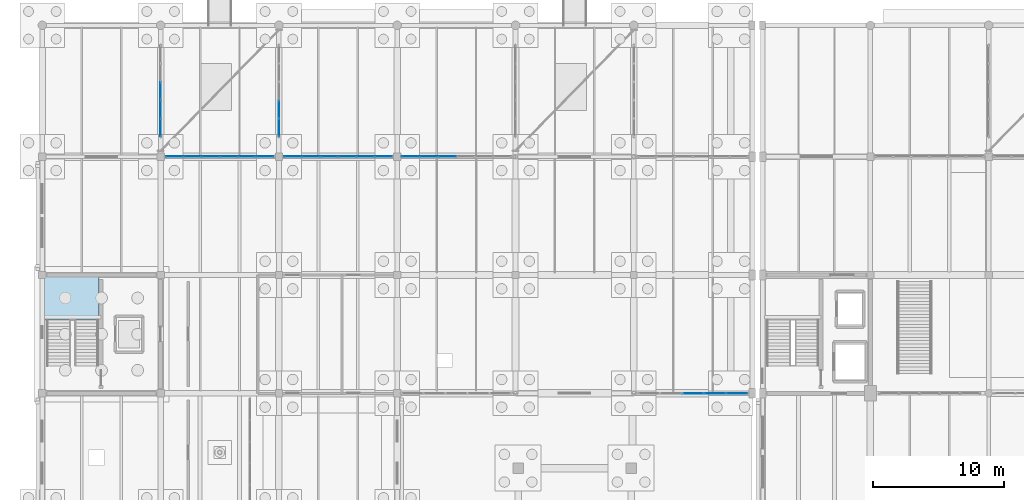
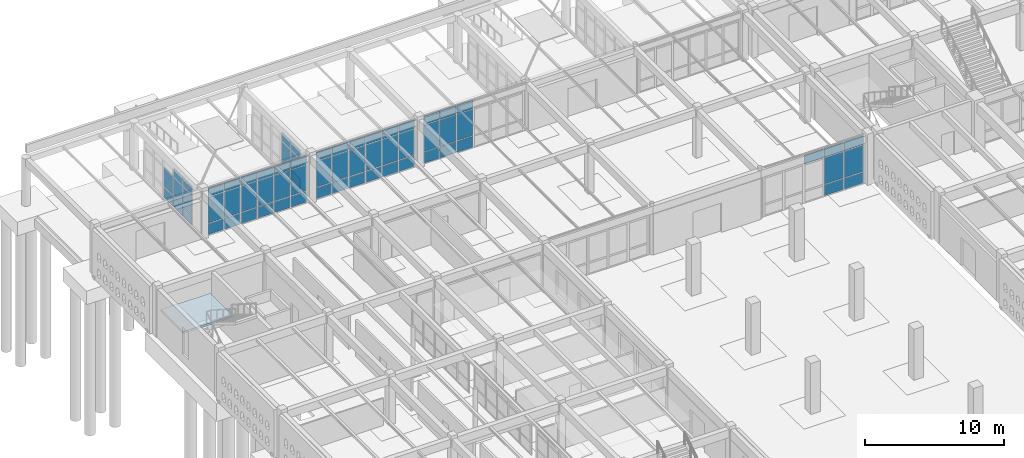
# One storey, part 145 of 186: 66 plates, 1 slab, 7 elements without a shape of their own.
"""IFC4 building model written with IfcOpenShell, lengths in metres."""

from ifc_helpers import new_model, si_unit, direction, frame, origin, origin_2d, place, context, subcontext, project, spatial, polyline, rectangle, outline, extrude, material, layer, layer_set, type_object, element, aggregate, save


model = new_model("IFC4")

# Units and contexts
model_context = context("Model", 3, precision=1e-05, world=origin(), true_north=direction((0.0, 1.0)))
body_context = subcontext(model_context, "Body", "Model", "MODEL_VIEW")
ifc_project = project(units=[si_unit("LENGTHUNIT", "METRE"), si_unit("AREAUNIT", "SQUARE_METRE"), si_unit("VOLUMEUNIT", "CUBIC_METRE"), si_unit("PLANEANGLEUNIT", "RADIAN"), si_unit("MASSUNIT", "GRAM", prefix="KILO")], contexts=[model_context])

# Site, building, storey
site_placement = place(None, origin())
site = spatial("IfcSite", under=ifc_project, at=site_placement, CompositionType="ELEMENT")
building_placement = place(site_placement, origin())
building = spatial("IfcBuilding", under=site, at=building_placement, Name="Ornek Quay Market", CompositionType="ELEMENT")
storey_placement = place(building_placement, origin())
storey = spatial("IfcBuildingStorey", under=building, at=storey_placement, Name="L00", CompositionType="ELEMENT", Elevation=0.0)

# Curtain wall, plates
ifc_material_1 = material(Name="Anodised bronze aluminium and triple low-e glass", Category="aluminium")
ifc_layer_1 = layer(ifc_material_1, 0.179931640625, Name="Anodised bronze aluminium and triple low-e glass", Category="aluminium")
ifc_layer_set_1 = layer_set([ifc_layer_1], Name="Anodised bronze aluminium and triple low-e glass")
curtain_wall_type_1 = type_object("IfcCurtainWallType", Name="CW-CONC-MOD1500", PredefinedType="USERDEFINED", material=ifc_layer_set_1)
curtain_wall_1_placement = place(storey_placement, origin())
curtain_wall_1 = element("IfcCurtainWall", 1, at=curtain_wall_1_placement, inside=storey, type_object=curtain_wall_type_1, Name="Curtain wall CW-001", ObjectType="CURTAIN WALL", PredefinedType="USERDEFINED")
ifc_material_2 = material(Name="Triple insulated low-e glass", Category="glass")
ifc_layer_2 = layer(ifc_material_2, 0.035888671875, Name="Triple insulated low-e glass", Category="glass")
ifc_layer_set_2 = layer_set([ifc_layer_2], Name="Triple insulated low-e glass")
plate_type_1 = type_object("IfcPlateType", Name="PL-CW-TRIPLE-36", PredefinedType="CURTAIN_PANEL", material=ifc_layer_set_2)
plate_1_placement = place(storey_placement, frame((10.057861328125, 110.0, 0.06494140625), z_axis=(0.0, 0.0, 1.0), x_axis=(1.0, 0.0, 0.0)))
plate_1 = element("IfcPlate", 2, at=plate_1_placement, type_object=plate_type_1, Name="CW-001 panel 1.1", PredefinedType="CURTAIN_PANEL", context=body_context, shape_type="SweptSolid", body=[
    extrude(rectangle(XDim=1.285888671875, YDim=0.035888671875, at=origin_2d()), origin(), (0.0, 0.0, 1.0), 0.952392578125),
])
plate_2_placement = place(storey_placement, frame((10.057861328125, 110.0, 1.08251953125), z_axis=(0.0, 0.0, 1.0), x_axis=(1.0, 0.0, 0.0)))
plate_2 = element("IfcPlate", 3, at=plate_2_placement, type_object=plate_type_1, Name="CW-001 panel 1.2", PredefinedType="CURTAIN_PANEL", context=body_context, shape_type="SweptSolid", body=[
    extrude(rectangle(XDim=1.285888671875, YDim=0.035888671875, at=origin_2d()), origin(), (0.0, 0.0, 1.0), 2.2548828125),
])
plate_3_placement = place(storey_placement, frame((10.057861328125, 110.0, 3.402587890625), z_axis=(0.0, 0.0, 1.0), x_axis=(1.0, 0.0, 0.0)))
plate_3 = element("IfcPlate", 4, at=plate_3_placement, type_object=plate_type_1, Name="CW-001 panel 1.3", PredefinedType="CURTAIN_PANEL", context=body_context, shape_type="SweptSolid", body=[
    extrude(rectangle(XDim=1.285888671875, YDim=0.035888671875, at=origin_2d()), origin(), (0.0, 0.0, 1.0), 0.75244140625),
])
plate_4_placement = place(storey_placement, frame((11.425048828125, 110.0, 0.06494140625), z_axis=(0.0, 0.0, 1.0), x_axis=(1.0, 0.0, 0.0)))
plate_4 = element("IfcPlate", 5, at=plate_4_placement, type_object=plate_type_1, Name="CW-001 panel 2.1", PredefinedType="CURTAIN_PANEL", context=body_context, shape_type="SweptSolid", body=[
    extrude(rectangle(XDim=1.318359375, YDim=0.035888671875, at=origin_2d()), origin(), (0.0, 0.0, 1.0), 0.952392578125),
])
plate_5_placement = place(storey_placement, frame((11.425048828125, 110.0, 1.08251953125), z_axis=(0.0, 0.0, 1.0), x_axis=(1.0, 0.0, 0.0)))
plate_5 = element("IfcPlate", 6, at=plate_5_placement, type_object=plate_type_1, Name="CW-001 panel 2.2", PredefinedType="CURTAIN_PANEL", context=body_context, shape_type="SweptSolid", body=[
    extrude(rectangle(XDim=1.318359375, YDim=0.035888671875, at=origin_2d()), origin(), (0.0, 0.0, 1.0), 2.2548828125),
])
plate_6_placement = place(storey_placement, frame((11.425048828125, 110.0, 3.402587890625), z_axis=(0.0, 0.0, 1.0), x_axis=(1.0, 0.0, 0.0)))
plate_6 = element("IfcPlate", 7, at=plate_6_placement, type_object=plate_type_1, Name="CW-001 panel 2.3", PredefinedType="CURTAIN_PANEL", context=body_context, shape_type="SweptSolid", body=[
    extrude(rectangle(XDim=1.318359375, YDim=0.035888671875, at=origin_2d()), origin(), (0.0, 0.0, 1.0), 0.75244140625),
])
plate_7_placement = place(storey_placement, frame((12.808349609375, 110.0, 0.06494140625), z_axis=(0.0, 0.0, 1.0), x_axis=(1.0, 0.0, 0.0)))
plate_7 = element("IfcPlate", 8, at=plate_7_placement, type_object=plate_type_1, Name="CW-001 panel 3.1", PredefinedType="CURTAIN_PANEL", context=body_context, shape_type="SweptSolid", body=[
    extrude(rectangle(XDim=1.318359375, YDim=0.035888671875, at=origin_2d()), origin(), (0.0, 0.0, 1.0), 0.952392578125),
])
plate_8_placement = place(storey_placement, frame((12.808349609375, 110.0, 1.08251953125), z_axis=(0.0, 0.0, 1.0), x_axis=(1.0, 0.0, 0.0)))
plate_8 = element("IfcPlate", 9, at=plate_8_placement, type_object=plate_type_1, Name="CW-001 panel 3.2", PredefinedType="CURTAIN_PANEL", context=body_context, shape_type="SweptSolid", body=[
    extrude(rectangle(XDim=1.318359375, YDim=0.035888671875, at=origin_2d()), origin(), (0.0, 0.0, 1.0), 2.2548828125),
])
plate_9_placement = place(storey_placement, frame((12.808349609375, 110.0, 3.402587890625), z_axis=(0.0, 0.0, 1.0), x_axis=(1.0, 0.0, 0.0)))
plate_9 = element("IfcPlate", 10, at=plate_9_placement, type_object=plate_type_1, Name="CW-001 panel 3.3", PredefinedType="CURTAIN_PANEL", context=body_context, shape_type="SweptSolid", body=[
    extrude(rectangle(XDim=1.318359375, YDim=0.035888671875, at=origin_2d()), origin(), (0.0, 0.0, 1.0), 0.75244140625),
])
plate_10_placement = place(storey_placement, frame((14.191650390625, 110.0, 0.06494140625), z_axis=(0.0, 0.0, 1.0), x_axis=(1.0, 0.0, 0.0)))
plate_10 = element("IfcPlate", 11, at=plate_10_placement, type_object=plate_type_1, Name="CW-001 panel 4.1", PredefinedType="CURTAIN_PANEL", context=body_context, shape_type="SweptSolid", body=[
    extrude(rectangle(XDim=1.318359375, YDim=0.035888671875, at=origin_2d()), origin(), (0.0, 0.0, 1.0), 0.952392578125),
])
plate_11_placement = place(storey_placement, frame((14.191650390625, 110.0, 1.08251953125), z_axis=(0.0, 0.0, 1.0), x_axis=(1.0, 0.0, 0.0)))
plate_11 = element("IfcPlate", 12, at=plate_11_placement, type_object=plate_type_1, Name="CW-001 panel 4.2", PredefinedType="CURTAIN_PANEL", context=body_context, shape_type="SweptSolid", body=[
    extrude(rectangle(XDim=1.318359375, YDim=0.035888671875, at=origin_2d()), origin(), (0.0, 0.0, 1.0), 2.2548828125),
])
plate_12_placement = place(storey_placement, frame((14.191650390625, 110.0, 3.402587890625), z_axis=(0.0, 0.0, 1.0), x_axis=(1.0, 0.0, 0.0)))
plate_12 = element("IfcPlate", 13, at=plate_12_placement, type_object=plate_type_1, Name="CW-001 panel 4.3", PredefinedType="CURTAIN_PANEL", context=body_context, shape_type="SweptSolid", body=[
    extrude(rectangle(XDim=1.318359375, YDim=0.035888671875, at=origin_2d()), origin(), (0.0, 0.0, 1.0), 0.75244140625),
])
plate_13_placement = place(storey_placement, frame((15.574951171875, 110.0, 0.06494140625), z_axis=(0.0, 0.0, 1.0), x_axis=(1.0, 0.0, 0.0)))
plate_13 = element("IfcPlate", 14, at=plate_13_placement, type_object=plate_type_1, Name="CW-001 panel 5.1", PredefinedType="CURTAIN_PANEL", context=body_context, shape_type="SweptSolid", body=[
    extrude(rectangle(XDim=1.318359375, YDim=0.035888671875, at=origin_2d()), origin(), (0.0, 0.0, 1.0), 0.952392578125),
])
plate_14_placement = place(storey_placement, frame((15.574951171875, 110.0, 1.08251953125), z_axis=(0.0, 0.0, 1.0), x_axis=(1.0, 0.0, 0.0)))
plate_14 = element("IfcPlate", 15, at=plate_14_placement, type_object=plate_type_1, Name="CW-001 panel 5.2", PredefinedType="CURTAIN_PANEL", context=body_context, shape_type="SweptSolid", body=[
    extrude(rectangle(XDim=1.318359375, YDim=0.035888671875, at=origin_2d()), origin(), (0.0, 0.0, 1.0), 2.2548828125),
])
plate_15_placement = place(storey_placement, frame((15.574951171875, 110.0, 3.402587890625), z_axis=(0.0, 0.0, 1.0), x_axis=(1.0, 0.0, 0.0)))
plate_15 = element("IfcPlate", 16, at=plate_15_placement, type_object=plate_type_1, Name="CW-001 panel 5.3", PredefinedType="CURTAIN_PANEL", context=body_context, shape_type="SweptSolid", body=[
    extrude(rectangle(XDim=1.318359375, YDim=0.035888671875, at=origin_2d()), origin(), (0.0, 0.0, 1.0), 0.75244140625),
])
plate_16_placement = place(storey_placement, frame((16.942138671875, 110.0, 0.06494140625), z_axis=(0.0, 0.0, 1.0), x_axis=(1.0, 0.0, 0.0)))
plate_16 = element("IfcPlate", 17, at=plate_16_placement, type_object=plate_type_1, Name="CW-001 panel 6.1", PredefinedType="CURTAIN_PANEL", context=body_context, shape_type="SweptSolid", body=[
    extrude(rectangle(XDim=1.285888671875, YDim=0.035888671875, at=origin_2d()), origin(), (0.0, 0.0, 1.0), 0.952392578125),
])
plate_17_placement = place(storey_placement, frame((16.942138671875, 110.0, 1.08251953125), z_axis=(0.0, 0.0, 1.0), x_axis=(1.0, 0.0, 0.0)))
plate_17 = element("IfcPlate", 18, at=plate_17_placement, type_object=plate_type_1, Name="CW-001 panel 6.2", PredefinedType="CURTAIN_PANEL", context=body_context, shape_type="SweptSolid", body=[
    extrude(rectangle(XDim=1.285888671875, YDim=0.035888671875, at=origin_2d()), origin(), (0.0, 0.0, 1.0), 2.2548828125),
])
plate_18_placement = place(storey_placement, frame((16.942138671875, 110.0, 3.402587890625), z_axis=(0.0, 0.0, 1.0), x_axis=(1.0, 0.0, 0.0)))
plate_18 = element("IfcPlate", 19, at=plate_18_placement, type_object=plate_type_1, Name="CW-001 panel 6.3", PredefinedType="CURTAIN_PANEL", context=body_context, shape_type="SweptSolid", body=[
    extrude(rectangle(XDim=1.285888671875, YDim=0.035888671875, at=origin_2d()), origin(), (0.0, 0.0, 1.0), 0.75244140625),
])
aggregate(curtain_wall_1, [plate_1, plate_2, plate_3, plate_4, plate_5, plate_6, plate_7, plate_8, plate_9, plate_10, plate_11, plate_12, plate_13, plate_14, plate_15, plate_16, plate_17, plate_18])

curtain_wall_2_placement = place(storey_placement, origin())
curtain_wall_2 = element("IfcCurtainWall", 20, at=curtain_wall_2_placement, inside=storey, type_object=curtain_wall_type_1, Name="Curtain wall CW-002", ObjectType="CURTAIN WALL", PredefinedType="USERDEFINED")
plate_19_placement = place(storey_placement, frame((19.057861328125, 110.0, 0.06494140625), z_axis=(0.0, 0.0, 1.0), x_axis=(1.0, 0.0, 0.0)))
plate_19 = element("IfcPlate", 21, at=plate_19_placement, type_object=plate_type_1, Name="CW-002 panel 1.1", PredefinedType="CURTAIN_PANEL", context=body_context, shape_type="SweptSolid", body=[
    extrude(rectangle(XDim=1.285888671875, YDim=0.035888671875, at=origin_2d()), origin(), (0.0, 0.0, 1.0), 0.952392578125),
])
plate_20_placement = place(storey_placement, frame((19.057861328125, 110.0, 1.08251953125), z_axis=(0.0, 0.0, 1.0), x_axis=(1.0, 0.0, 0.0)))
plate_20 = element("IfcPlate", 22, at=plate_20_placement, type_object=plate_type_1, Name="CW-002 panel 1.2", PredefinedType="CURTAIN_PANEL", context=body_context, shape_type="SweptSolid", body=[
    extrude(rectangle(XDim=1.285888671875, YDim=0.035888671875, at=origin_2d()), origin(), (0.0, 0.0, 1.0), 2.2548828125),
])
plate_21_placement = place(storey_placement, frame((19.057861328125, 110.0, 3.402587890625), z_axis=(0.0, 0.0, 1.0), x_axis=(1.0, 0.0, 0.0)))
plate_21 = element("IfcPlate", 23, at=plate_21_placement, type_object=plate_type_1, Name="CW-002 panel 1.3", PredefinedType="CURTAIN_PANEL", context=body_context, shape_type="SweptSolid", body=[
    extrude(rectangle(XDim=1.285888671875, YDim=0.035888671875, at=origin_2d()), origin(), (0.0, 0.0, 1.0), 0.75244140625),
])
plate_22_placement = place(storey_placement, frame((20.425048828125, 110.0, 0.06494140625), z_axis=(0.0, 0.0, 1.0), x_axis=(1.0, 0.0, 0.0)))
plate_22 = element("IfcPlate", 24, at=plate_22_placement, type_object=plate_type_1, Name="CW-002 panel 2.1", PredefinedType="CURTAIN_PANEL", context=body_context, shape_type="SweptSolid", body=[
    extrude(rectangle(XDim=1.318359375, YDim=0.035888671875, at=origin_2d()), origin(), (0.0, 0.0, 1.0), 0.952392578125),
])
plate_23_placement = place(storey_placement, frame((20.425048828125, 110.0, 1.08251953125), z_axis=(0.0, 0.0, 1.0), x_axis=(1.0, 0.0, 0.0)))
plate_23 = element("IfcPlate", 25, at=plate_23_placement, type_object=plate_type_1, Name="CW-002 panel 2.2", PredefinedType="CURTAIN_PANEL", context=body_context, shape_type="SweptSolid", body=[
    extrude(rectangle(XDim=1.318359375, YDim=0.035888671875, at=origin_2d()), origin(), (0.0, 0.0, 1.0), 2.2548828125),
])
plate_24_placement = place(storey_placement, frame((20.425048828125, 110.0, 3.402587890625), z_axis=(0.0, 0.0, 1.0), x_axis=(1.0, 0.0, 0.0)))
plate_24 = element("IfcPlate", 26, at=plate_24_placement, type_object=plate_type_1, Name="CW-002 panel 2.3", PredefinedType="CURTAIN_PANEL", context=body_context, shape_type="SweptSolid", body=[
    extrude(rectangle(XDim=1.318359375, YDim=0.035888671875, at=origin_2d()), origin(), (0.0, 0.0, 1.0), 0.75244140625),
])
plate_25_placement = place(storey_placement, frame((21.808349609375, 110.0, 0.06494140625), z_axis=(0.0, 0.0, 1.0), x_axis=(1.0, 0.0, 0.0)))
plate_25 = element("IfcPlate", 27, at=plate_25_placement, type_object=plate_type_1, Name="CW-002 panel 3.1", PredefinedType="CURTAIN_PANEL", context=body_context, shape_type="SweptSolid", body=[
    extrude(rectangle(XDim=1.318359375, YDim=0.035888671875, at=origin_2d()), origin(), (0.0, 0.0, 1.0), 0.952392578125),
])
plate_26_placement = place(storey_placement, frame((21.808349609375, 110.0, 1.08251953125), z_axis=(0.0, 0.0, 1.0), x_axis=(1.0, 0.0, 0.0)))
plate_26 = element("IfcPlate", 28, at=plate_26_placement, type_object=plate_type_1, Name="CW-002 panel 3.2", PredefinedType="CURTAIN_PANEL", context=body_context, shape_type="SweptSolid", body=[
    extrude(rectangle(XDim=1.318359375, YDim=0.035888671875, at=origin_2d()), origin(), (0.0, 0.0, 1.0), 2.2548828125),
])
plate_27_placement = place(storey_placement, frame((21.808349609375, 110.0, 3.402587890625), z_axis=(0.0, 0.0, 1.0), x_axis=(1.0, 0.0, 0.0)))
plate_27 = element("IfcPlate", 29, at=plate_27_placement, type_object=plate_type_1, Name="CW-002 panel 3.3", PredefinedType="CURTAIN_PANEL", context=body_context, shape_type="SweptSolid", body=[
    extrude(rectangle(XDim=1.318359375, YDim=0.035888671875, at=origin_2d()), origin(), (0.0, 0.0, 1.0), 0.75244140625),
])
plate_28_placement = place(storey_placement, frame((23.191650390625, 110.0, 0.06494140625), z_axis=(0.0, 0.0, 1.0), x_axis=(1.0, 0.0, 0.0)))
plate_28 = element("IfcPlate", 30, at=plate_28_placement, type_object=plate_type_1, Name="CW-002 panel 4.1", PredefinedType="CURTAIN_PANEL", context=body_context, shape_type="SweptSolid", body=[
    extrude(rectangle(XDim=1.318359375, YDim=0.035888671875, at=origin_2d()), origin(), (0.0, 0.0, 1.0), 0.952392578125),
])
plate_29_placement = place(storey_placement, frame((23.191650390625, 110.0, 1.08251953125), z_axis=(0.0, 0.0, 1.0), x_axis=(1.0, 0.0, 0.0)))
plate_29 = element("IfcPlate", 31, at=plate_29_placement, type_object=plate_type_1, Name="CW-002 panel 4.2", PredefinedType="CURTAIN_PANEL", context=body_context, shape_type="SweptSolid", body=[
    extrude(rectangle(XDim=1.318359375, YDim=0.035888671875, at=origin_2d()), origin(), (0.0, 0.0, 1.0), 2.2548828125),
])
plate_30_placement = place(storey_placement, frame((23.191650390625, 110.0, 3.402587890625), z_axis=(0.0, 0.0, 1.0), x_axis=(1.0, 0.0, 0.0)))
plate_30 = element("IfcPlate", 32, at=plate_30_placement, type_object=plate_type_1, Name="CW-002 panel 4.3", PredefinedType="CURTAIN_PANEL", context=body_context, shape_type="SweptSolid", body=[
    extrude(rectangle(XDim=1.318359375, YDim=0.035888671875, at=origin_2d()), origin(), (0.0, 0.0, 1.0), 0.75244140625),
])
plate_31_placement = place(storey_placement, frame((24.574951171875, 110.0, 0.06494140625), z_axis=(0.0, 0.0, 1.0), x_axis=(1.0, 0.0, 0.0)))
plate_31 = element("IfcPlate", 33, at=plate_31_placement, type_object=plate_type_1, Name="CW-002 panel 5.1", PredefinedType="CURTAIN_PANEL", context=body_context, shape_type="SweptSolid", body=[
    extrude(rectangle(XDim=1.318359375, YDim=0.035888671875, at=origin_2d()), origin(), (0.0, 0.0, 1.0), 0.952392578125),
])
plate_32_placement = place(storey_placement, frame((24.574951171875, 110.0, 1.08251953125), z_axis=(0.0, 0.0, 1.0), x_axis=(1.0, 0.0, 0.0)))
plate_32 = element("IfcPlate", 34, at=plate_32_placement, type_object=plate_type_1, Name="CW-002 panel 5.2", PredefinedType="CURTAIN_PANEL", context=body_context, shape_type="SweptSolid", body=[
    extrude(rectangle(XDim=1.318359375, YDim=0.035888671875, at=origin_2d()), origin(), (0.0, 0.0, 1.0), 2.2548828125),
])
plate_33_placement = place(storey_placement, frame((24.574951171875, 110.0, 3.402587890625), z_axis=(0.0, 0.0, 1.0), x_axis=(1.0, 0.0, 0.0)))
plate_33 = element("IfcPlate", 35, at=plate_33_placement, type_object=plate_type_1, Name="CW-002 panel 5.3", PredefinedType="CURTAIN_PANEL", context=body_context, shape_type="SweptSolid", body=[
    extrude(rectangle(XDim=1.318359375, YDim=0.035888671875, at=origin_2d()), origin(), (0.0, 0.0, 1.0), 0.75244140625),
])
plate_34_placement = place(storey_placement, frame((25.942138671875, 110.0, 0.06494140625), z_axis=(0.0, 0.0, 1.0), x_axis=(1.0, 0.0, 0.0)))
plate_34 = element("IfcPlate", 36, at=plate_34_placement, type_object=plate_type_1, Name="CW-002 panel 6.1", PredefinedType="CURTAIN_PANEL", context=body_context, shape_type="SweptSolid", body=[
    extrude(rectangle(XDim=1.285888671875, YDim=0.035888671875, at=origin_2d()), origin(), (0.0, 0.0, 1.0), 0.952392578125),
])
plate_35_placement = place(storey_placement, frame((25.942138671875, 110.0, 1.08251953125), z_axis=(0.0, 0.0, 1.0), x_axis=(1.0, 0.0, 0.0)))
plate_35 = element("IfcPlate", 37, at=plate_35_placement, type_object=plate_type_1, Name="CW-002 panel 6.2", PredefinedType="CURTAIN_PANEL", context=body_context, shape_type="SweptSolid", body=[
    extrude(rectangle(XDim=1.285888671875, YDim=0.035888671875, at=origin_2d()), origin(), (0.0, 0.0, 1.0), 2.2548828125),
])
plate_36_placement = place(storey_placement, frame((25.942138671875, 110.0, 3.402587890625), z_axis=(0.0, 0.0, 1.0), x_axis=(1.0, 0.0, 0.0)))
plate_36 = element("IfcPlate", 38, at=plate_36_placement, type_object=plate_type_1, Name="CW-002 panel 6.3", PredefinedType="CURTAIN_PANEL", context=body_context, shape_type="SweptSolid", body=[
    extrude(rectangle(XDim=1.285888671875, YDim=0.035888671875, at=origin_2d()), origin(), (0.0, 0.0, 1.0), 0.75244140625),
])
aggregate(curtain_wall_2, [plate_19, plate_20, plate_21, plate_22, plate_23, plate_24, plate_25, plate_26, plate_27, plate_28, plate_29, plate_30, plate_31, plate_32, plate_33, plate_34, plate_35, plate_36])

curtain_wall_3_placement = place(storey_placement, origin())
curtain_wall_3 = element("IfcCurtainWall", 39, at=curtain_wall_3_placement, inside=storey, type_object=curtain_wall_type_1, Name="Curtain wall CW-005", ObjectType="CURTAIN WALL", PredefinedType="USERDEFINED")
plate_37_placement = place(storey_placement, frame((28.014892578125, 110.0, 0.06005859375), z_axis=(0.0, 0.0, 1.0), x_axis=(1.0, 0.0, 0.0)))
plate_37 = element("IfcPlate", 40, at=plate_37_placement, type_object=plate_type_1, Name="CW-005 panel 1.1", PredefinedType="CURTAIN_PANEL", context=body_context, shape_type="SweptSolid", body=[
    extrude(rectangle(XDim=1.31005859375, YDim=0.035888671875, at=origin_2d()), origin(), (0.0, 0.0, 1.0), 0.9599609375),
])
plate_38_placement = place(storey_placement, frame((28.014892578125, 110.0, 1.080078125), z_axis=(0.0, 0.0, 1.0), x_axis=(1.0, 0.0, 0.0)))
plate_38 = element("IfcPlate", 41, at=plate_38_placement, type_object=plate_type_1, Name="CW-005 panel 1.2", PredefinedType="CURTAIN_PANEL", context=body_context, shape_type="SweptSolid", body=[
    extrude(rectangle(XDim=1.31005859375, YDim=0.035888671875, at=origin_2d()), origin(), (0.0, 0.0, 1.0), 2.31005859375),
])
plate_39_placement = place(storey_placement, frame((28.014892578125, 110.0, 3.4501953125), z_axis=(0.0, 0.0, 1.0), x_axis=(1.0, 0.0, 0.0)))
plate_39 = element("IfcPlate", 42, at=plate_39_placement, type_object=plate_type_1, Name="CW-005 panel 1.3", PredefinedType="CURTAIN_PANEL", context=body_context, shape_type="SweptSolid", body=[
    extrude(rectangle(XDim=1.31005859375, YDim=0.035888671875, at=origin_2d()), origin(), (0.0, 0.0, 1.0), 0.760009765625),
])
plate_40_placement = place(storey_placement, frame((29.39990234375, 110.0, 0.06005859375), z_axis=(0.0, 0.0, 1.0), x_axis=(1.0, 0.0, 0.0)))
plate_40 = element("IfcPlate", 43, at=plate_40_placement, type_object=plate_type_1, Name="CW-005 panel 2.1", PredefinedType="CURTAIN_PANEL", context=body_context, shape_type="SweptSolid", body=[
    extrude(rectangle(XDim=1.340087890625, YDim=0.035888671875, at=origin_2d()), origin(), (0.0, 0.0, 1.0), 0.9599609375),
])
plate_41_placement = place(storey_placement, frame((29.39990234375, 110.0, 1.080078125), z_axis=(0.0, 0.0, 1.0), x_axis=(1.0, 0.0, 0.0)))
plate_41 = element("IfcPlate", 44, at=plate_41_placement, type_object=plate_type_1, Name="CW-005 panel 2.2", PredefinedType="CURTAIN_PANEL", context=body_context, shape_type="SweptSolid", body=[
    extrude(rectangle(XDim=1.340087890625, YDim=0.035888671875, at=origin_2d()), origin(), (0.0, 0.0, 1.0), 2.31005859375),
])
plate_42_placement = place(storey_placement, frame((29.39990234375, 110.0, 3.4501953125), z_axis=(0.0, 0.0, 1.0), x_axis=(1.0, 0.0, 0.0)))
plate_42 = element("IfcPlate", 45, at=plate_42_placement, type_object=plate_type_1, Name="CW-005 panel 2.3", PredefinedType="CURTAIN_PANEL", context=body_context, shape_type="SweptSolid", body=[
    extrude(rectangle(XDim=1.340087890625, YDim=0.035888671875, at=origin_2d()), origin(), (0.0, 0.0, 1.0), 0.760009765625),
])
plate_43_placement = place(storey_placement, frame((30.800048828125, 110.0, 0.06005859375), z_axis=(0.0, 0.0, 1.0), x_axis=(1.0, 0.0, 0.0)))
plate_43 = element("IfcPlate", 46, at=plate_43_placement, type_object=plate_type_1, Name="CW-005 panel 3.1", PredefinedType="CURTAIN_PANEL", context=body_context, shape_type="SweptSolid", body=[
    extrude(rectangle(XDim=1.340087890625, YDim=0.035888671875, at=origin_2d()), origin(), (0.0, 0.0, 1.0), 0.9599609375),
])
plate_44_placement = place(storey_placement, frame((30.800048828125, 110.0, 1.080078125), z_axis=(0.0, 0.0, 1.0), x_axis=(1.0, 0.0, 0.0)))
plate_44 = element("IfcPlate", 47, at=plate_44_placement, type_object=plate_type_1, Name="CW-005 panel 3.2", PredefinedType="CURTAIN_PANEL", context=body_context, shape_type="SweptSolid", body=[
    extrude(rectangle(XDim=1.340087890625, YDim=0.035888671875, at=origin_2d()), origin(), (0.0, 0.0, 1.0), 2.31005859375),
])
plate_45_placement = place(storey_placement, frame((30.800048828125, 110.0, 3.4501953125), z_axis=(0.0, 0.0, 1.0), x_axis=(1.0, 0.0, 0.0)))
plate_45 = element("IfcPlate", 48, at=plate_45_placement, type_object=plate_type_1, Name="CW-005 panel 3.3", PredefinedType="CURTAIN_PANEL", context=body_context, shape_type="SweptSolid", body=[
    extrude(rectangle(XDim=1.340087890625, YDim=0.035888671875, at=origin_2d()), origin(), (0.0, 0.0, 1.0), 0.760009765625),
])
aggregate(curtain_wall_3, [plate_37, plate_38, plate_39, plate_40, plate_41, plate_42, plate_43, plate_44, plate_45])

ifc_layer_3 = layer(ifc_material_1, 0.219970703125, Name="Anodised bronze aluminium and triple low-e glass", Category="aluminium")
ifc_layer_set_3 = layer_set([ifc_layer_3], Name="Anodised bronze aluminium and triple low-e glass")
curtain_wall_type_2 = type_object("IfcCurtainWallType", Name="CW-PORCH-MOD1500", PredefinedType="USERDEFINED", material=ifc_layer_set_3)
curtain_wall_4_placement = place(storey_placement, origin())
curtain_wall_4 = element("IfcCurtainWall", 49, at=curtain_wall_4_placement, inside=storey, type_object=curtain_wall_type_2, Name="Curtain wall CW-147", ObjectType="CURTAIN WALL", PredefinedType="USERDEFINED")
plate_46_placement = place(storey_placement, frame((9.0, 112.217529296875, 0.06982421875), z_axis=(0.0, 0.0, 1.0), x_axis=(0.0, 1.0, 0.0)))
plate_46 = element("IfcPlate", 50, at=plate_46_placement, type_object=plate_type_1, Name="CW-147 panel 1.1", PredefinedType="CURTAIN_PANEL", context=body_context, shape_type="SweptSolid", body=[
    extrude(rectangle(XDim=1.294921875, YDim=0.035888671875, at=origin_2d()), origin(), (0.0, 0.0, 1.0), 0.945068359375),
])
plate_47_placement = place(storey_placement, frame((9.0, 112.217529296875, 1.0849609375), z_axis=(0.0, 0.0, 1.0), x_axis=(0.0, 1.0, 0.0)))
plate_47 = element("IfcPlate", 51, at=plate_47_placement, type_object=plate_type_1, Name="CW-147 panel 1.2", PredefinedType="CURTAIN_PANEL", context=body_context, shape_type="SweptSolid", body=[
    extrude(rectangle(XDim=1.294921875, YDim=0.035888671875, at=origin_2d()), origin(), (0.0, 0.0, 1.0), 1.6298828125),
])
plate_48_placement = place(storey_placement, frame((9.0, 112.217529296875, 2.784912109375), z_axis=(0.0, 0.0, 1.0), x_axis=(0.0, 1.0, 0.0)))
plate_48 = element("IfcPlate", 52, at=plate_48_placement, type_object=plate_type_1, Name="CW-147 panel 1.3", PredefinedType="CURTAIN_PANEL", context=body_context, shape_type="SweptSolid", body=[
    extrude(rectangle(XDim=1.294921875, YDim=0.035888671875, at=origin_2d()), origin(), (0.0, 0.0, 1.0), 0.7451171875),
])
plate_49_placement = place(storey_placement, frame((9.0, 113.60009765625, 0.06982421875), z_axis=(0.0, 0.0, 1.0), x_axis=(0.0, 1.0, 0.0)))
plate_49 = element("IfcPlate", 53, at=plate_49_placement, type_object=plate_type_1, Name="CW-147 panel 2.1", PredefinedType="CURTAIN_PANEL", context=body_context, shape_type="SweptSolid", body=[
    extrude(rectangle(XDim=1.330078125, YDim=0.035888671875, at=origin_2d()), origin(), (0.0, 0.0, 1.0), 0.945068359375),
])
plate_50_placement = place(storey_placement, frame((9.0, 113.60009765625, 1.0849609375), z_axis=(0.0, 0.0, 1.0), x_axis=(0.0, 1.0, 0.0)))
plate_50 = element("IfcPlate", 54, at=plate_50_placement, type_object=plate_type_1, Name="CW-147 panel 2.2", PredefinedType="CURTAIN_PANEL", context=body_context, shape_type="SweptSolid", body=[
    extrude(rectangle(XDim=1.330078125, YDim=0.035888671875, at=origin_2d()), origin(), (0.0, 0.0, 1.0), 1.6298828125),
])
plate_51_placement = place(storey_placement, frame((9.0, 113.60009765625, 2.784912109375), z_axis=(0.0, 0.0, 1.0), x_axis=(0.0, 1.0, 0.0)))
plate_51 = element("IfcPlate", 55, at=plate_51_placement, type_object=plate_type_1, Name="CW-147 panel 2.3", PredefinedType="CURTAIN_PANEL", context=body_context, shape_type="SweptSolid", body=[
    extrude(rectangle(XDim=1.330078125, YDim=0.035888671875, at=origin_2d()), origin(), (0.0, 0.0, 1.0), 0.7451171875),
])
plate_52_placement = place(storey_placement, frame((9.0, 115.0, 0.06982421875), z_axis=(0.0, 0.0, 1.0), x_axis=(0.0, 1.0, 0.0)))
plate_52 = element("IfcPlate", 56, at=plate_52_placement, type_object=plate_type_1, Name="CW-147 panel 3.1", PredefinedType="CURTAIN_PANEL", context=body_context, shape_type="SweptSolid", body=[
    extrude(rectangle(XDim=1.330078125, YDim=0.035888671875, at=origin_2d()), origin(), (0.0, 0.0, 1.0), 0.945068359375),
])
plate_53_placement = place(storey_placement, frame((9.0, 115.0, 1.0849609375), z_axis=(0.0, 0.0, 1.0), x_axis=(0.0, 1.0, 0.0)))
plate_53 = element("IfcPlate", 57, at=plate_53_placement, type_object=plate_type_1, Name="CW-147 panel 3.2", PredefinedType="CURTAIN_PANEL", context=body_context, shape_type="SweptSolid", body=[
    extrude(rectangle(XDim=1.330078125, YDim=0.035888671875, at=origin_2d()), origin(), (0.0, 0.0, 1.0), 1.6298828125),
])
aggregate(curtain_wall_4, [plate_46, plate_47, plate_48, plate_49, plate_50, plate_51, plate_52, plate_53])

curtain_wall_5_placement = place(storey_placement, origin())
curtain_wall_5 = element("IfcCurtainWall", 58, at=curtain_wall_5_placement, inside=storey, type_object=curtain_wall_type_2, Name="Curtain wall CW-148", ObjectType="CURTAIN WALL", PredefinedType="USERDEFINED")
plate_54_placement = place(storey_placement, frame((18.0, 112.217529296875, 0.06982421875), z_axis=(0.0, 0.0, 1.0), x_axis=(0.0, 1.0, 0.0)))
plate_54 = element("IfcPlate", 59, at=plate_54_placement, type_object=plate_type_1, Name="CW-148 panel 1.1", PredefinedType="CURTAIN_PANEL", context=body_context, shape_type="SweptSolid", body=[
    extrude(rectangle(XDim=1.294921875, YDim=0.035888671875, at=origin_2d()), origin(), (0.0, 0.0, 1.0), 0.945068359375),
])
plate_55_placement = place(storey_placement, frame((18.0, 112.217529296875, 1.0849609375), z_axis=(0.0, 0.0, 1.0), x_axis=(0.0, 1.0, 0.0)))
plate_55 = element("IfcPlate", 60, at=plate_55_placement, type_object=plate_type_1, Name="CW-148 panel 1.2", PredefinedType="CURTAIN_PANEL", context=body_context, shape_type="SweptSolid", body=[
    extrude(rectangle(XDim=1.294921875, YDim=0.035888671875, at=origin_2d()), origin(), (0.0, 0.0, 1.0), 1.6298828125),
])
plate_56_placement = place(storey_placement, frame((18.0, 112.217529296875, 2.784912109375), z_axis=(0.0, 0.0, 1.0), x_axis=(0.0, 1.0, 0.0)))
plate_56 = element("IfcPlate", 61, at=plate_56_placement, type_object=plate_type_1, Name="CW-148 panel 1.3", PredefinedType="CURTAIN_PANEL", context=body_context, shape_type="SweptSolid", body=[
    extrude(rectangle(XDim=1.294921875, YDim=0.035888671875, at=origin_2d()), origin(), (0.0, 0.0, 1.0), 0.7451171875),
])
plate_57_placement = place(storey_placement, frame((18.0, 113.60009765625, 0.06982421875), z_axis=(0.0, 0.0, 1.0), x_axis=(0.0, 1.0, 0.0)))
plate_57 = element("IfcPlate", 62, at=plate_57_placement, type_object=plate_type_1, Name="CW-148 panel 2.1", PredefinedType="CURTAIN_PANEL", context=body_context, shape_type="SweptSolid", body=[
    extrude(rectangle(XDim=1.330078125, YDim=0.035888671875, at=origin_2d()), origin(), (0.0, 0.0, 1.0), 0.945068359375),
])
plate_58_placement = place(storey_placement, frame((18.0, 113.60009765625, 1.0849609375), z_axis=(0.0, 0.0, 1.0), x_axis=(0.0, 1.0, 0.0)))
plate_58 = element("IfcPlate", 63, at=plate_58_placement, type_object=plate_type_1, Name="CW-148 panel 2.2", PredefinedType="CURTAIN_PANEL", context=body_context, shape_type="SweptSolid", body=[
    extrude(rectangle(XDim=1.330078125, YDim=0.035888671875, at=origin_2d()), origin(), (0.0, 0.0, 1.0), 1.6298828125),
])
plate_59_placement = place(storey_placement, frame((18.0, 113.60009765625, 2.784912109375), z_axis=(0.0, 0.0, 1.0), x_axis=(0.0, 1.0, 0.0)))
plate_59 = element("IfcPlate", 64, at=plate_59_placement, type_object=plate_type_1, Name="CW-148 panel 2.3", PredefinedType="CURTAIN_PANEL", context=body_context, shape_type="SweptSolid", body=[
    extrude(rectangle(XDim=1.330078125, YDim=0.035888671875, at=origin_2d()), origin(), (0.0, 0.0, 1.0), 0.7451171875),
])
aggregate(curtain_wall_5, [plate_54, plate_55, plate_56, plate_57, plate_58, plate_59])

ifc_layer_4 = layer(ifc_material_1, 0.199951171875, Name="Anodised bronze aluminium and triple low-e glass", Category="aluminium")
ifc_layer_set_4 = layer_set([ifc_layer_4], Name="Anodised bronze aluminium and triple low-e glass")
curtain_wall_type_3 = type_object("IfcCurtainWallType", Name="CW-CONC-MOD1800", PredefinedType="USERDEFINED", material=ifc_layer_set_4)
curtain_wall_6_placement = place(storey_placement, origin())
curtain_wall_6 = element("IfcCurtainWall", 65, at=curtain_wall_6_placement, inside=storey, type_object=curtain_wall_type_3, Name="Curtain wall CW-010", ObjectType="CURTAIN WALL", PredefinedType="USERDEFINED")
ifc_layer_5 = layer(ifc_material_2, 0.0419921875, Name="Triple insulated low-e glass", Category="glass")
ifc_layer_set_5 = layer_set([ifc_layer_5], Name="Triple insulated low-e glass")
plate_type_2 = type_object("IfcPlateType", Name="PL-CW-TRIPLE-42", PredefinedType="CURTAIN_PANEL", material=ifc_layer_set_5)
plate_60_placement = place(storey_placement, frame((49.5, 92.0, 3.45263671875), z_axis=(0.0, 0.0, 1.0), x_axis=(1.0, 0.0, 0.0)))
plate_60 = element("IfcPlate", 66, at=plate_60_placement, type_object=plate_type_2, Name="CW-010 panel 3.3", PredefinedType="CURTAIN_PANEL", context=body_context, shape_type="SweptSolid", body=[
    extrude(rectangle(XDim=1.614990234375, YDim=0.0419921875, at=origin_2d()), origin(), (0.0, 0.0, 1.0), 0.75244140625),
])
plate_61_placement = place(storey_placement, frame((51.179931640625, 92.0, 0.06494140625), z_axis=(0.0, 0.0, 1.0), x_axis=(1.0, 0.0, 0.0)))
plate_61 = element("IfcPlate", 67, at=plate_61_placement, type_object=plate_type_2, Name="CW-010 panel 4.1", PredefinedType="CURTAIN_PANEL", context=body_context, shape_type="SweptSolid", body=[
    extrude(rectangle(XDim=1.614990234375, YDim=0.0419921875, at=origin_2d()), origin(), (0.0, 0.0, 1.0), 0.952392578125),
])
plate_62_placement = place(storey_placement, frame((51.179931640625, 92.0, 1.08251953125), z_axis=(0.0, 0.0, 1.0), x_axis=(1.0, 0.0, 0.0)))
plate_62 = element("IfcPlate", 68, at=plate_62_placement, type_object=plate_type_2, Name="CW-010 panel 4.2", PredefinedType="CURTAIN_PANEL", context=body_context, shape_type="SweptSolid", body=[
    extrude(rectangle(XDim=1.614990234375, YDim=0.0419921875, at=origin_2d()), origin(), (0.0, 0.0, 1.0), 2.304931640625),
])
plate_63_placement = place(storey_placement, frame((51.179931640625, 92.0, 3.45263671875), z_axis=(0.0, 0.0, 1.0), x_axis=(1.0, 0.0, 0.0)))
plate_63 = element("IfcPlate", 69, at=plate_63_placement, type_object=plate_type_2, Name="CW-010 panel 4.3", PredefinedType="CURTAIN_PANEL", context=body_context, shape_type="SweptSolid", body=[
    extrude(rectangle(XDim=1.614990234375, YDim=0.0419921875, at=origin_2d()), origin(), (0.0, 0.0, 1.0), 0.75244140625),
])
plate_64_placement = place(storey_placement, frame((52.84375, 92.0, 0.06494140625), z_axis=(0.0, 0.0, 1.0), x_axis=(1.0, 0.0, 0.0)))
plate_64 = element("IfcPlate", 70, at=plate_64_placement, type_object=plate_type_2, Name="CW-010 panel 5.1", PredefinedType="CURTAIN_PANEL", context=body_context, shape_type="SweptSolid", body=[
    extrude(rectangle(XDim=1.58251953125, YDim=0.0419921875, at=origin_2d()), origin(), (0.0, 0.0, 1.0), 0.952392578125),
])
plate_65_placement = place(storey_placement, frame((52.84375, 92.0, 1.08251953125), z_axis=(0.0, 0.0, 1.0), x_axis=(1.0, 0.0, 0.0)))
plate_65 = element("IfcPlate", 71, at=plate_65_placement, type_object=plate_type_2, Name="CW-010 panel 5.2", PredefinedType="CURTAIN_PANEL", context=body_context, shape_type="SweptSolid", body=[
    extrude(rectangle(XDim=1.58251953125, YDim=0.0419921875, at=origin_2d()), origin(), (0.0, 0.0, 1.0), 2.304931640625),
])
plate_66_placement = place(storey_placement, frame((52.84375, 92.0, 3.45263671875), z_axis=(0.0, 0.0, 1.0), x_axis=(1.0, 0.0, 0.0)))
plate_66 = element("IfcPlate", 72, at=plate_66_placement, type_object=plate_type_2, Name="CW-010 panel 5.3", PredefinedType="CURTAIN_PANEL", context=body_context, shape_type="SweptSolid", body=[
    extrude(rectangle(XDim=1.58251953125, YDim=0.0419921875, at=origin_2d()), origin(), (0.0, 0.0, 1.0), 0.75244140625),
])
aggregate(curtain_wall_6, [plate_60, plate_61, plate_62, plate_63, plate_64, plate_65, plate_66])

# Stair, slab
ifc_material_3 = material(Name="Precast concrete C40/50", Category="concrete")
stair_type = type_object("IfcStairType", Name="ST-CORE-L00-L01", PredefinedType="HALF_TURN_STAIR", material=ifc_material_3)
stair_placement = place(storey_placement, origin())
stair = element("IfcStair", 73, at=stair_placement, inside=storey, type_object=stair_type, Name="Core stair ST-01-L00 (L00 to L01)", PredefinedType="HALF_TURN_STAIR")
ifc_layer_6 = layer(ifc_material_3, 0.1650390625, Name="Precast concrete C40/50", Category="concrete")
ifc_layer_set_6 = layer_set([ifc_layer_6], Name="Precast concrete C40/50")
slab_type = type_object("IfcSlabType", Name="SL-LND-165", PredefinedType="LANDING", material=ifc_layer_set_6)
slab_placement = place(storey_placement, frame((0.0, 0.0, 2.0849609375)))
slab = element("IfcSlab", 74, at=slab_placement, type_object=slab_type, Name="ST-01-L00 landing 1", PredefinedType="LANDING", context=body_context, shape_type="SweptSolid", body=[
    extrude(outline(polyline([(0.159912109375, 97.592041015625), (4.300048828125, 97.592041015625), (4.300048828125, 100.840087890625), (0.159912109375, 100.840087890625), (0.159912109375, 97.592041015625)])), origin(), (0.0, 0.0, 1.0), 0.1650390625),
])
aggregate(stair, [slab])

save(model, "model.ifc")
